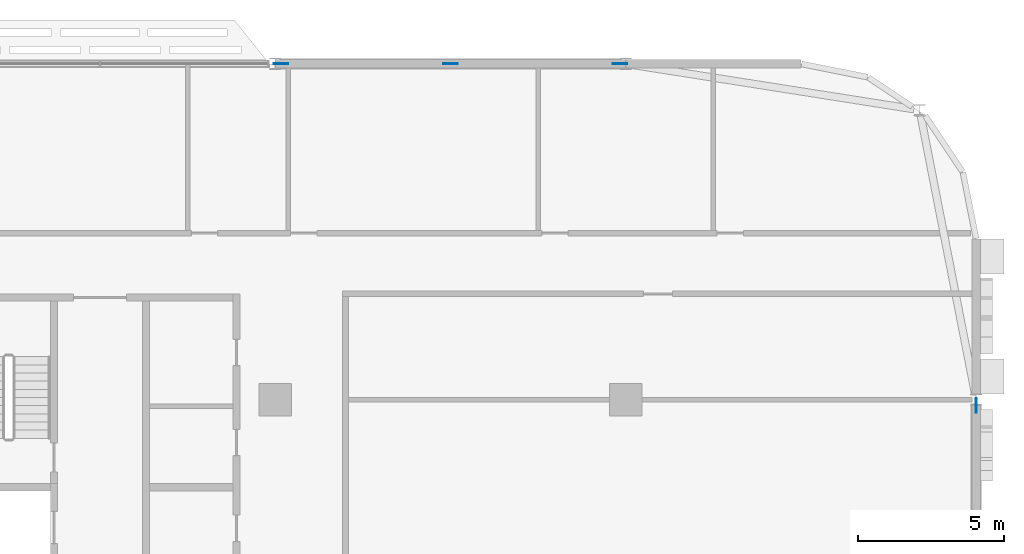
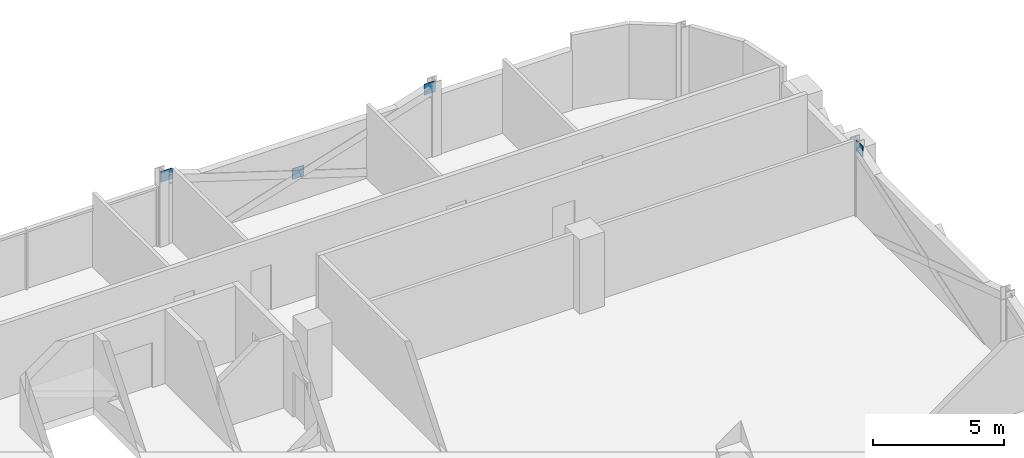
# One storey, part 24 of 30: 4 discrete accessories.
"""IFC4 building model written with IfcOpenShell, lengths in metres."""

from ifc_helpers import new_model, si_unit, direction, frame, origin, origin_2d, place, context, subcontext, project, spatial, rectangle, extrude, material, layer, layer_set, type_object, element, save


model = new_model("IFC4")

# Units and contexts
model_context = context("Model", 3, precision=1e-05, world=origin(), true_north=direction((0.0, 1.0)))
body_context = subcontext(model_context, "Body", "Model", "MODEL_VIEW")
ifc_project = project(units=[si_unit("LENGTHUNIT", "METRE"), si_unit("AREAUNIT", "SQUARE_METRE"), si_unit("VOLUMEUNIT", "CUBIC_METRE"), si_unit("PLANEANGLEUNIT", "RADIAN"), si_unit("MASSUNIT", "GRAM", prefix="KILO")], contexts=[model_context])

# Site, building, storey
site_placement = place(None, origin())
site = spatial("IfcSite", under=ifc_project, at=site_placement, CompositionType="ELEMENT")
building_placement = place(site_placement, origin())
building = spatial("IfcBuilding", under=site, at=building_placement, Name="Mahtab Terrace Research Tower", CompositionType="ELEMENT")
storey_placement = place(building_placement, frame((0.0, 0.0, 205.300048828125)))
storey = spatial("IfcBuildingStorey", under=building, at=storey_placement, Name="L49", CompositionType="ELEMENT", Elevation=205.300048828125)

# Discrete accessories
ifc_material = material(Name="Steel ASTM A992 Gr 50", Category="steel")
ifc_layer = layer(ifc_material, 0.030029296875)
ifc_layer_set = layer_set([ifc_layer], Name="Gusset plate 500x500x30")
discrete_accessory_type = type_object("IfcDiscreteAccessoryType", Name="Gusset plate 500x500x30", PredefinedType="USERDEFINED", material=ifc_layer_set)
for number, where, z_axis, x_axis, name in (
    (1, (30.20068359375, 23.0, 2.870849609375), (0.0, 0.0, 1.0), (1.0, 0.0, 0.0), "Gusset plate"),
    (2, (36.0, 23.0, 0.970947265625), (0.0, 0.0, 1.0), (1.0, 0.0, 0.0), "Gusset plate"),
    (3, (41.79931640625, 23.0, 2.870849609375), (0.0, 0.0, 1.0), (1.0, 0.0, 0.0), "Gusset plate"),
    (4, (54.0, 11.300537109375, 2.870849609375), (0.0, 0.0, 1.0), (0.0, 1.0, 0.0), "Gusset plate"),
):
    element("IfcDiscreteAccessory", number, at=place(storey_placement, frame(where, z_axis=z_axis, x_axis=x_axis)), inside=storey, type_object=discrete_accessory_type, Name=name, ObjectType="GUSSET PLATE", PredefinedType="USERDEFINED", context=body_context, shape_type="SweptSolid", body=[
        extrude(rectangle(XDim=0.5, YDim=0.030029296875, at=origin_2d()), origin(), (0.0, 0.0, 1.0), 0.5),
    ])

save(model, "model.ifc")
